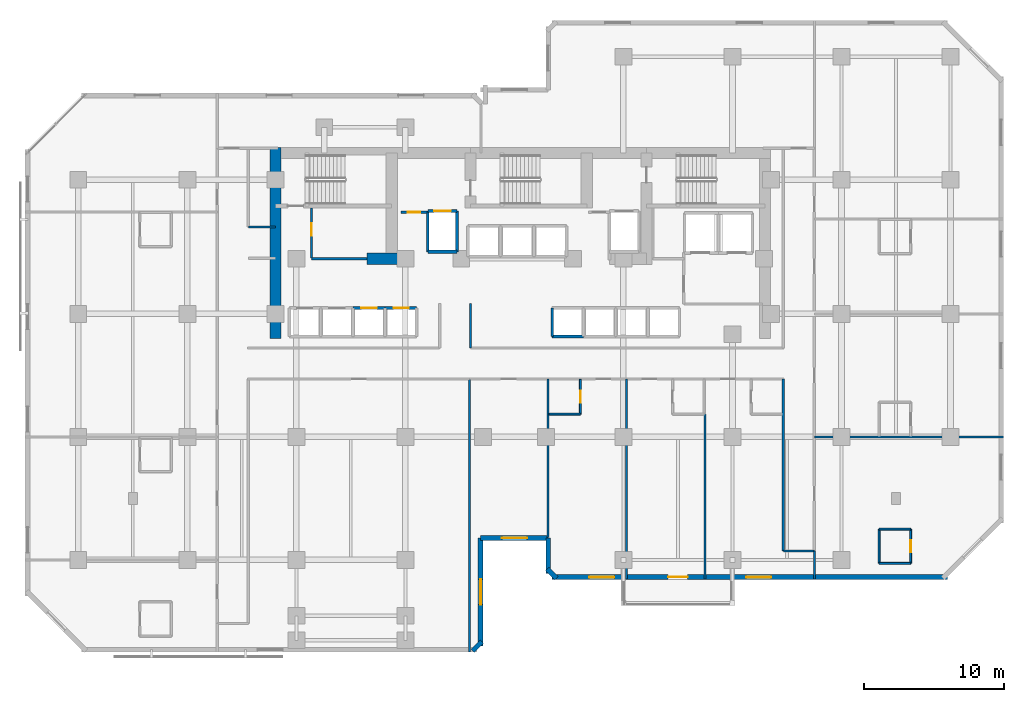
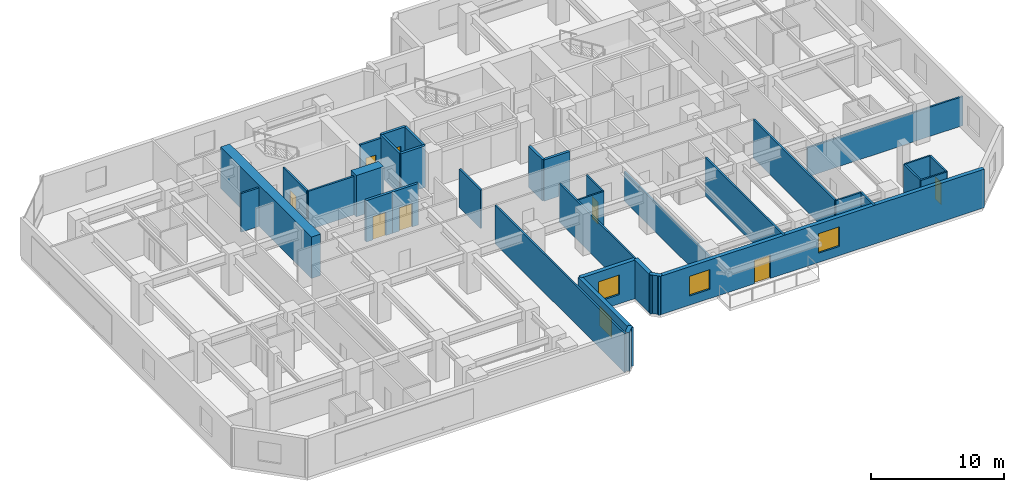
# One storey, part 7 of 12: 35 walls, 8 doors, 4 windows, 12 openings.
"""IFC4 building model written with IfcOpenShell, lengths in metres."""

import ifcopenshell
import ifcopenshell.guid

model = None  # the IFC model being written
_history = None  # IfcOwnerHistory: only IFC2X3 demands one
_inside = {}  # id of a spatial element -> (the spatial element, [elements in it])
_under = {}  # id of a project, library or spatial element -> (it, [spatial elements below it])
_declared = {}  # id of a project -> (the project, [libraries it declares])
_typed = {}  # id of a type object -> (the type object, [elements of that type])
_made_of = {}  # id of a material, layer set ... -> (it, [elements and type objects made of it])


def new_model(schema):
    """Start an empty IFC model of exactly this schema.

    Asked for "IFC4X3", IfcOpenShell would pick the latest addendum, in which some entities
    have other attributes; the version numbers below select the first issue.
    IFC2X3 requires an IfcOwnerHistory on every rooted entity: one is made here for all.
    """
    global model, _history
    if schema == "IFC4X3":
        model = ifcopenshell.file(schema_version=(4, 3, 0, 0))
    else:
        model = ifcopenshell.file(schema=schema)
    _inside.clear()
    _under.clear()
    _declared.clear()
    _typed.clear()
    _made_of.clear()
    _history = None
    if model.schema == "IFC2X3":
        org = make("IfcOrganization", Name="unknown")
        user = make(
            "IfcPersonAndOrganization",
            ThePerson=make("IfcPerson", FamilyName="unknown"),
            TheOrganization=org,
        )
        app = make(
            "IfcApplication",
            ApplicationDeveloper=org,
            Version="unknown",
            ApplicationFullName="unknown",
            ApplicationIdentifier="unknown",
        )
        _history = make(
            "IfcOwnerHistory",
            OwningUser=user,
            OwningApplication=app,
            ChangeAction="ADDED",
            CreationDate=0,
        )
    return model


def make(cls, **values):
    """One entity of the class cls with the attributes given. An attribute that is None is left unset."""
    return model.create_entity(
        cls, **{name: value for name, value in values.items() if value is not None}
    )


def rooted(cls, **values):
    """An entity with a GlobalId (a new one), such as an element, a storey or a relation."""
    return make(cls, GlobalId=ifcopenshell.guid.new(), OwnerHistory=_history, **values)


def si_unit(unit_type, name, prefix=None):
    """IfcSIUnit, for example si_unit("LENGTHUNIT", "METRE", prefix="MILLI")."""
    return make("IfcSIUnit", UnitType=unit_type, Prefix=prefix, Name=name)


def assignment(units):
    """IfcUnitAssignment: the units of a project."""
    return None if units is None else make("IfcUnitAssignment", Units=units)


def point(xyz):
    """IfcCartesianPoint."""
    return None if xyz is None else make("IfcCartesianPoint", Coordinates=xyz)


def direction(xyz):
    """IfcDirection."""
    return None if xyz is None else make("IfcDirection", DirectionRatios=xyz)


def frame(location, z_axis=None, x_axis=None):
    """IfcAxis2Placement3D, a coordinate frame: its origin and axes. An axis left out is left unset."""
    return make(
        "IfcAxis2Placement3D",
        Location=point(location),
        Axis=direction(z_axis),
        RefDirection=direction(x_axis),
    )


def frame_2d(location, x_axis=None):
    """IfcAxis2Placement2D, a coordinate frame in the plane: its origin and x axis."""
    return make(
        "IfcAxis2Placement2D", Location=point(location), RefDirection=direction(x_axis)
    )


def origin():
    """The frame at (0, 0, 0) with its axes left unset."""
    return frame((0.0, 0.0, 0.0))


def place(relative_to, where):
    """IfcLocalPlacement: puts the frame where relative to a parent placement (None: the world)."""
    return make(
        "IfcLocalPlacement", PlacementRelTo=relative_to, RelativePlacement=where
    )


def context(
    kind, dimensions, precision=None, world=None, true_north=None, identifier=None
):
    """IfcGeometricRepresentationContext, for example the 3D "Model" context."""
    return make(
        "IfcGeometricRepresentationContext",
        ContextIdentifier=identifier,
        ContextType=kind,
        CoordinateSpaceDimension=dimensions,
        Precision=precision,
        WorldCoordinateSystem=world,
        TrueNorth=true_north,
    )


def subcontext(parent, identifier, kind, view, scale=None):
    """IfcGeometricRepresentationSubContext, for example "Body" below "Model"."""
    return make(
        "IfcGeometricRepresentationSubContext",
        ContextIdentifier=identifier,
        ContextType=kind,
        ParentContext=parent,
        TargetScale=scale,
        TargetView=view,
    )


def project(units=None, contexts=None):
    """IfcProject with its units and contexts."""
    return rooted(
        "IfcProject",
        Name="project",
        RepresentationContexts=contexts,
        UnitsInContext=assignment(units),
    )


def spatial(cls, under=None, at=None, **own):
    """A site, building, storey or space (cls), placed at a placement, below another one or the project."""
    s = rooted(cls, ObjectPlacement=at, **own)
    if under is not None:
        _under.setdefault(under.id(), (under, []))[1].append(s)
    return s


def profile(cls, at=None, kind="AREA", **sizes):
    """A parametric profile (cls). Its sizes go by their IFC names, for example OverallWidth=200.0."""
    return make(cls, ProfileType=kind, Position=at, **sizes)


def rectangle(**sizes):
    """IfcRectangleProfileDef."""
    return profile("IfcRectangleProfileDef", **sizes)


def extrude(swept, where, along, depth):
    """IfcExtrudedAreaSolid: the profile swept, set in the frame where, extruded along a direction by depth."""
    return make(
        "IfcExtrudedAreaSolid",
        SweptArea=swept,
        Position=where,
        ExtrudedDirection=direction(along),
        Depth=depth,
    )


def shape(context_of_items, identifier, shape_type, items):
    """IfcShapeRepresentation: the items that make up one representation, for example the "Body"."""
    return make(
        "IfcShapeRepresentation",
        ContextOfItems=context_of_items,
        RepresentationIdentifier=identifier,
        RepresentationType=shape_type,
        Items=items,
    )


def material(Name=None, Category=None):
    """IfcMaterial."""
    return make("IfcMaterial", Name=Name, Category=Category)


def layer(
    of_material, thickness, ventilated=None, Name=None, Category=None, Priority=None
):
    """IfcMaterialLayer: one layer of a wall or slab, of a material (None: an air gap)."""
    return make(
        "IfcMaterialLayer",
        Material=of_material,
        LayerThickness=thickness,
        IsVentilated=ventilated,
        Name=Name,
        Category=Category,
        Priority=Priority,
    )


def layer_set(layers, Name=None):
    """IfcMaterialLayerSet."""
    return make("IfcMaterialLayerSet", MaterialLayers=layers, LayerSetName=Name)


def made_of(thing, what):
    """Note that an element or type object is made of a material, layer set ...; save() writes the relation."""
    if what is not None:
        _made_of.setdefault(what.id(), (what, []))[1].append(thing)
    return thing


def type_object(cls, material=None, **own):
    """A type object (cls), such as IfcWallType, which elements share."""
    return made_of(rooted(cls, **own), material)


def element(
    cls,
    number,
    at=None,
    inside=None,
    cuts=None,
    type_object=None,
    material=None,
    context=None,
    identifier="Body",
    shape_type=None,
    held_by="IfcProductDefinitionShape",
    body=None,
    shapes=None,
    **own,
):
    """One element of the class cls, such as IfcWall. Its Tag is "e" and its number.

    at: its placement. inside: the storey or other place that contains it. cuts: it is an
    opening in that element (IfcRelVoidsElement). A single representation is given by context,
    identifier, shape_type and body (its items); several are given by shapes. held_by: the class
    of the entity that holds the representations. save() writes the other relations.
    """
    e = rooted(cls, Tag="e%d" % number, ObjectPlacement=at, **own)
    if body is not None:
        shapes = [shape(context, identifier, shape_type, body)]
    if shapes is not None:
        e.Representation = make(held_by, Representations=shapes)
    if inside is not None:
        _inside.setdefault(inside.id(), (inside, []))[1].append(e)
    if cuts is not None:
        rooted(
            "IfcRelVoidsElement", RelatingBuildingElement=cuts, RelatedOpeningElement=e
        )
    if type_object is not None:
        _typed.setdefault(type_object.id(), (type_object, []))[1].append(e)
    return made_of(e, material)


def fill(opening, filler):
    """IfcRelFillsElement: the door or window that sits in an opening."""
    return rooted(
        "IfcRelFillsElement",
        RelatingOpeningElement=opening,
        RelatedBuildingElement=filler,
    )


def aggregate(whole, parts):
    """IfcRelAggregates: a whole, such as a stair, and the parts it consists of."""
    return rooted("IfcRelAggregates", RelatingObject=whole, RelatedObjects=parts)


def save(model, path):
    """Write the relations noted so far, then the file.

    IfcRelAggregates (storeys below a building ...), IfcRelContainedInSpatialStructure (elements
    in a storey), IfcRelDefinesByType, IfcRelAssociatesMaterial and IfcRelDeclares: one each for
    every whole, place, type object, material and project.
    """
    for whole, parts in _under.values():
        aggregate(whole, parts)
    for where, things in _inside.values():
        rooted(
            "IfcRelContainedInSpatialStructure",
            RelatedElements=things,
            RelatingStructure=where,
        )
    for kind, things in _typed.values():
        rooted("IfcRelDefinesByType", RelatedObjects=things, RelatingType=kind)
    for what, things in _made_of.values():
        rooted("IfcRelAssociatesMaterial", RelatedObjects=things, RelatingMaterial=what)
    for by, libraries in _declared.values():
        rooted("IfcRelDeclares", RelatingContext=by, RelatedDefinitions=libraries)
    model.write(path)


model = new_model("IFC4")

# Units and contexts
model_context = context("Model", 3, precision=1e-05, world=origin(), true_north=direction((0.0, 1.0)))
body_context = subcontext(model_context, "Body", "Model", "MODEL_VIEW")
ifc_project = project(units=[si_unit("LENGTHUNIT", "METRE"), si_unit("AREAUNIT", "SQUARE_METRE"), si_unit("VOLUMEUNIT", "CUBIC_METRE"), si_unit("PLANEANGLEUNIT", "RADIAN"), si_unit("MASSUNIT", "GRAM", prefix="KILO")], contexts=[model_context])

# Site, building, storey
site_placement = place(None, origin())
site = spatial("IfcSite", under=ifc_project, at=site_placement, CompositionType="ELEMENT")
building_placement = place(site_placement, origin())
building = spatial("IfcBuilding", under=site, at=building_placement, Name="Kestravale Grand Hotel", CompositionType="ELEMENT")
storey_placement = place(building_placement, frame((0.0, 0.0, 110.800048828125)))
storey = spatial("IfcBuildingStorey", under=building, at=storey_placement, Name="L27", CompositionType="ELEMENT", Elevation=110.800048828125)

# Walls
ifc_material_1 = material(Name="Concrete f'c 60 MPa", Category="concrete")
ifc_layer_1 = layer(ifc_material_1, 0.800048828125)
ifc_layer_set_1 = layer_set([ifc_layer_1], Name="EW-CORE-800")
wall_type_1 = type_object("IfcWallType", Name="EW-CORE-800", PredefinedType="SHEAR", material=ifc_layer_set_1)
wall_1_placement = place(storey_placement, frame((21.89990234375, 27.050048828125, 0.0), z_axis=(0.0, 0.0, 1.0), x_axis=(0.0, 1.0, 0.0)))
element("IfcWall", 1, at=wall_1_placement, inside=storey, type_object=wall_type_1, Name="L27 core shear wall W1", PredefinedType="SHEAR", context=body_context, shape_type="SweptSolid", body=[
    extrude(rectangle(XDim=13.669921875, YDim=0.800048828125, at=frame_2d((6.8349609375, 0.0))), origin(), (0.0, 0.0, 1.0), 3.800048828125),
])
wall_2_placement = place(storey_placement, frame((28.449951171875, 32.75, 0.0), z_axis=(0.0, 0.0, 1.0), x_axis=(1.0, 0.0, 0.0)))
element("IfcWall", 2, at=wall_2_placement, inside=storey, type_object=wall_type_1, Name="L27 core shear wall S1", PredefinedType="SHEAR", context=body_context, shape_type="SweptSolid", body=[
    extrude(rectangle(XDim=2.400146484375, YDim=0.800048828125, at=frame_2d((1.2001953125, 0.0))), origin(), (0.0, 0.0, 1.0), 3.800048828125),
])
ifc_material_2 = material(Name="Precast concrete f'c 45 MPa", Category="concrete")
ifc_layer_2 = layer(ifc_material_2, 0.340087890625)
ifc_layer_set_2 = layer_set([ifc_layer_2], Name="EW-PREC-340")
wall_type_2 = type_object("IfcWallType", Name="EW-PREC-340", PredefinedType="SOLIDWALL", material=ifc_layer_set_2)
wall_3_placement = place(storey_placement, frame((36.00146484375, 4.69189453125, 0.0), z_axis=(0.0, 0.0, 1.0), x_axis=(0.707238225886, 0.706975312048, 0.0)))
element("IfcWall", 3, at=wall_3_placement, inside=storey, type_object=wall_type_2, Name="L27 fluted precast facade wall 2", PredefinedType="SOLIDWALL", context=body_context, shape_type="SweptSolid", body=[
    extrude(rectangle(XDim=0.9287109375, YDim=0.340087890625, at=frame_2d((0.46435546875, 0.0))), origin(), (0.0, 0.0, 1.0), 3.5400390625),
])

# Wall, opening, window
wall_4_placement = place(storey_placement, frame((36.580078125, 5.030029296875, 0.0), z_axis=(0.0, 0.0, 1.0), x_axis=(0.0, 1.0, 0.0)))
wall_4 = element("IfcWall", 4, at=wall_4_placement, inside=storey, type_object=wall_type_2, Name="L27 fluted precast facade wall 3", PredefinedType="SOLIDWALL", context=body_context, shape_type="SweptSolid", body=[
    extrude(rectangle(XDim=7.739990234375, YDim=0.340087890625, at=frame_2d((3.8701171875, 0.0))), origin(), (0.0, 0.0, 1.0), 3.5400390625),
])
opening_1_placement = place(wall_4_placement, frame((2.969970703125, 0.0, 0.85009765625)))
opening_1 = element("IfcOpeningElement", 5, at=opening_1_placement, cuts=wall_4, Name="Opening W-GUEST-1800", PredefinedType="OPENING", context=body_context, shape_type="SweptSolid", body=[
    extrude(rectangle(XDim=1.800048828125, YDim=1.800048828125, at=frame_2d((0.89990234375, 0.89990234375))), frame((0.0, 0.179931640625, 0.0), z_axis=(0.0, -1.0, 0.0), x_axis=(1.0, 0.0, 0.0)), (0.0, 0.0, 1.0), 0.360107421875),
])
ifc_material_3 = material(Name="Insulated low-E double glazing in aluminium frame", Category="aluminium")
window_type = type_object("IfcWindowType", Name="W-GUEST-1800", PartitioningType="DOUBLE_PANEL_VERTICAL", PredefinedType="WINDOW", material=ifc_material_3)
window_1_placement = place(opening_1_placement, origin())
window_1 = element("IfcWindow", 6, at=window_1_placement, inside=storey, type_object=window_type, Name="L27 exterior window 3.1", OverallHeight=1.800048828125, OverallWidth=1.800048828125, PartitioningType="SINGLE_PANEL", PredefinedType="WINDOW", context=body_context, shape_type="SweptSolid", body=[
    extrude(rectangle(XDim=1.800048828125, YDim=1.800048828125, at=frame_2d((0.89990234375, 0.89990234375))), frame((0.0, 0.030029296875, 0.0), z_axis=(0.0, -1.0, 0.0), x_axis=(1.0, 0.0, 0.0)), (0.0, 0.0, 1.0), 0.06005859375),
])
fill(opening_1, window_1)

wall_5_placement = place(storey_placement, frame((36.580078125, 12.77001953125, 0.0), z_axis=(0.0, 0.0, 1.0), x_axis=(1.0, 0.0, 0.0)))
wall_5 = element("IfcWall", 7, at=wall_5_placement, inside=storey, type_object=wall_type_2, Name="L27 fluted precast facade wall 4", PredefinedType="SOLIDWALL", context=body_context, shape_type="SweptSolid", body=[
    extrude(rectangle(XDim=4.83984375, YDim=0.340087890625, at=frame_2d((2.419921875, 0.0))), origin(), (0.0, 0.0, 1.0), 3.5400390625),
])
opening_2_placement = place(wall_5_placement, frame((1.52001953125, 0.0, 0.85009765625)))
opening_2 = element("IfcOpeningElement", 8, at=opening_2_placement, cuts=wall_5, Name="Opening W-GUEST-1800", PredefinedType="OPENING", context=body_context, shape_type="SweptSolid", body=[
    extrude(rectangle(XDim=1.800048828125, YDim=1.800048828125, at=frame_2d((0.89990234375, 0.89990234375))), frame((0.0, 0.179931640625, 0.0), z_axis=(0.0, -1.0, 0.0), x_axis=(1.0, 0.0, 0.0)), (0.0, 0.0, 1.0), 0.360107421875),
])
window_2_placement = place(opening_2_placement, origin())
window_2 = element("IfcWindow", 9, at=window_2_placement, inside=storey, type_object=window_type, Name="L27 exterior window 4.1", OverallHeight=1.800048828125, OverallWidth=1.800048828125, PartitioningType="SINGLE_PANEL", PredefinedType="WINDOW", context=body_context, shape_type="SweptSolid", body=[
    extrude(rectangle(XDim=1.800048828125, YDim=1.800048828125, at=frame_2d((0.89990234375, 0.89990234375))), frame((0.0, 0.030029296875, 0.0), z_axis=(0.0, -1.0, 0.0), x_axis=(1.0, 0.0, 0.0)), (0.0, 0.0, 1.0), 0.06005859375),
])
fill(opening_2, window_2)

# Walls
wall_6_placement = place(storey_placement, frame((41.419921875, 12.77001953125, 0.0), z_axis=(0.0, 0.0, 1.0), x_axis=(0.0, -1.0, 0.0)))
element("IfcWall", 10, at=wall_6_placement, inside=storey, type_object=wall_type_2, Name="L27 fluted precast facade wall 5", PredefinedType="SOLIDWALL", context=body_context, shape_type="SweptSolid", body=[
    extrude(rectangle(XDim=2.5400390625, YDim=0.340087890625, at=frame_2d((1.27001953125, 0.0))), origin(), (0.0, 0.0, 1.0), 3.5400390625),
])
wall_7_placement = place(storey_placement, frame((41.341796875, 10.548583984375, 0.0), z_axis=(0.0, 0.0, 1.0), x_axis=(0.707106781187, -0.707106781187, 0.0)))
element("IfcWall", 11, at=wall_7_placement, inside=storey, type_object=wall_type_2, Name="L27 fluted precast facade wall 6", PredefinedType="SOLIDWALL", context=body_context, shape_type="SweptSolid", body=[
    extrude(rectangle(XDim=0.9287109375, YDim=0.340087890625, at=frame_2d((0.46435546875, 0.0))), origin(), (0.0, 0.0, 1.0), 3.5400390625),
])

# Wall, openings, door, windows
wall_8_placement = place(storey_placement, frame((41.679931640625, 9.969970703125, 0.0), z_axis=(0.0, 0.0, 1.0), x_axis=(1.0, 0.0, 0.0)))
wall_8 = element("IfcWall", 12, at=wall_8_placement, inside=storey, type_object=wall_type_2, Name="L27 fluted precast facade wall 7", PredefinedType="SOLIDWALL", context=body_context, shape_type="SweptSolid", body=[
    extrude(rectangle(XDim=28.2900390625, YDim=0.340087890625, at=frame_2d((14.14501953125, 0.0))), origin(), (0.0, 0.0, 1.0), 3.5400390625),
])
opening_3_placement = place(wall_8_placement, frame((8.320068359375, 0.0, 0.0)))
opening_3 = element("IfcOpeningElement", 13, at=opening_3_placement, cuts=wall_8, Name="Opening D-TERR-1400", PredefinedType="OPENING", context=body_context, shape_type="SweptSolid", body=[
    extrude(rectangle(XDim=1.39990234375, YDim=2.14990234375, at=frame_2d((0.699951171875, 1.074951171875))), frame((0.0, 0.179931640625, 0.0), z_axis=(0.0, -1.0, 0.0), x_axis=(1.0, 0.0, 0.0)), (0.0, 0.0, 1.0), 0.360107421875),
])
opening_4_placement = place(wall_8_placement, frame((2.6650390625, 0.0, 0.85009765625)))
opening_4 = element("IfcOpeningElement", 14, at=opening_4_placement, cuts=wall_8, Name="Opening W-GUEST-1800", PredefinedType="OPENING", context=body_context, shape_type="SweptSolid", body=[
    extrude(rectangle(XDim=1.800048828125, YDim=1.800048828125, at=frame_2d((0.89990234375, 0.89990234375))), frame((0.0, 0.179931640625, 0.0), z_axis=(0.0, -1.0, 0.0), x_axis=(1.0, 0.0, 0.0)), (0.0, 0.0, 1.0), 0.360107421875),
])
opening_5_placement = place(wall_8_placement, frame((13.89501953125, 0.0, 0.85009765625)))
opening_5 = element("IfcOpeningElement", 15, at=opening_5_placement, cuts=wall_8, Name="Opening W-GUEST-1800", PredefinedType="OPENING", context=body_context, shape_type="SweptSolid", body=[
    extrude(rectangle(XDim=1.800048828125, YDim=1.800048828125, at=frame_2d((0.89990234375, 0.89990234375))), frame((0.0, 0.179931640625, 0.0), z_axis=(0.0, -1.0, 0.0), x_axis=(1.0, 0.0, 0.0)), (0.0, 0.0, 1.0), 0.360107421875),
])
ifc_material_4 = material(Name="Insulated glazed champagne-bronze aluminium door", Category="aluminium")
door_type_1 = type_object("IfcDoorType", Name="D-TERR-1400", OperationType="NOTDEFINED", PredefinedType="DOOR", material=ifc_material_4)
door_1_placement = place(opening_3_placement, origin())
door_1 = element("IfcDoor", 16, at=door_1_placement, inside=storey, type_object=door_type_1, Name="L27 outdoor garden terrace door", OperationType="DOUBLE_DOOR_SINGLE_SWING", OverallHeight=2.14990234375, OverallWidth=1.39990234375, PredefinedType="DOOR", context=body_context, shape_type="SweptSolid", body=[
    extrude(rectangle(XDim=1.39990234375, YDim=2.14990234375, at=frame_2d((0.699951171875, 1.074951171875))), frame((0.0, 0.02490234375, 0.0), z_axis=(0.0, -1.0, 0.0), x_axis=(1.0, 0.0, 0.0)), (0.0, 0.0, 1.0), 0.050048828125),
])
fill(opening_3, door_1)
window_3_placement = place(opening_4_placement, origin())
window_3 = element("IfcWindow", 17, at=window_3_placement, inside=storey, type_object=window_type, Name="L27 exterior window 7.1", OverallHeight=1.800048828125, OverallWidth=1.800048828125, PartitioningType="SINGLE_PANEL", PredefinedType="WINDOW", context=body_context, shape_type="SweptSolid", body=[
    extrude(rectangle(XDim=1.800048828125, YDim=1.800048828125, at=frame_2d((0.89990234375, 0.89990234375))), frame((0.0, 0.030029296875, 0.0), z_axis=(0.0, -1.0, 0.0), x_axis=(1.0, 0.0, 0.0)), (0.0, 0.0, 1.0), 0.06005859375),
])
fill(opening_4, window_3)
window_4_placement = place(opening_5_placement, origin())
window_4 = element("IfcWindow", 18, at=window_4_placement, inside=storey, type_object=window_type, Name="L27 exterior window 7.2", OverallHeight=1.800048828125, OverallWidth=1.800048828125, PartitioningType="SINGLE_PANEL", PredefinedType="WINDOW", context=body_context, shape_type="SweptSolid", body=[
    extrude(rectangle(XDim=1.800048828125, YDim=1.800048828125, at=frame_2d((0.89990234375, 0.89990234375))), frame((0.0, 0.030029296875, 0.0), z_axis=(0.0, -1.0, 0.0), x_axis=(1.0, 0.0, 0.0)), (0.0, 0.0, 1.0), 0.06005859375),
])
fill(opening_5, window_4)

# Wall, opening, door
ifc_material_5 = material(Name="Acoustic fire-rated gypsum board partition", Category="other")
ifc_layer_3 = layer(ifc_material_5, 0.159912109375)
ifc_layer_set_3 = layer_set([ifc_layer_3], Name="IW-CORR-160")
wall_type_3 = type_object("IfcWallType", Name="IW-CORR-160", PredefinedType="PARTITIONING", material=ifc_layer_set_3)
wall_9_placement = place(storey_placement, frame((24.47998046875, 32.800048828125, 0.0), z_axis=(0.0, 0.0, 1.0), x_axis=(0.0, 1.0, 0.0)))
wall_9 = element("IfcWall", 19, at=wall_9_placement, inside=storey, type_object=wall_type_3, Name="L27 west core vestibule wall", PredefinedType="PARTITIONING", context=body_context, shape_type="SweptSolid", body=[
    extrude(rectangle(XDim=3.570068359375, YDim=0.159912109375, at=frame_2d((1.78515625, 0.0))), origin(), (0.0, 0.0, 1.0), 3.5400390625),
])
opening_6_placement = place(wall_9_placement, frame((1.603515625, 0.0, 0.0)))
opening_6 = element("IfcOpeningElement", 20, at=opening_6_placement, cuts=wall_9, Name="Opening D-SH-900", PredefinedType="OPENING", context=body_context, shape_type="SweptSolid", body=[
    extrude(rectangle(XDim=0.89990234375, YDim=2.10009765625, at=frame_2d((0.449951171875, 1.050048828125))), frame((0.0, 0.08984375, 0.0), z_axis=(0.0, -1.0, 0.0), x_axis=(1.0, 0.0, 0.0)), (0.0, 0.0, 1.0), 0.179931640625),
])
ifc_material_6 = material(Name="Galvanised 90-minute shaft and service fire door", Category="steel")
door_type_2 = type_object("IfcDoorType", Name="D-SH-900", OperationType="NOTDEFINED", PredefinedType="DOOR", material=ifc_material_6)
door_2_placement = place(opening_6_placement, origin())
door_2 = element("IfcDoor", 21, at=door_2_placement, inside=storey, type_object=door_type_2, Name="D-L27-HK", OperationType="SINGLE_SWING_RIGHT", OverallHeight=2.10009765625, OverallWidth=0.89990234375, PredefinedType="DOOR", context=body_context, shape_type="SweptSolid", body=[
    extrude(rectangle(XDim=0.89990234375, YDim=2.10009765625, at=frame_2d((0.449951171875, 1.050048828125))), frame((0.0, 0.02490234375, 0.0), z_axis=(0.0, -1.0, 0.0), x_axis=(1.0, 0.0, 0.0)), (0.0, 0.0, 1.0), 0.050048828125),
])
fill(opening_6, door_2)

# Walls
wall_10_placement = place(storey_placement, frame((24.47998046875, 32.75, 0.0), z_axis=(0.0, 0.0, 1.0), x_axis=(1.0, 0.0, 0.0)))
element("IfcWall", 22, at=wall_10_placement, inside=storey, type_object=wall_type_3, Name="W-L27-CWS", PredefinedType="PARTITIONING", context=body_context, shape_type="SweptSolid", body=[
    extrude(rectangle(XDim=3.969970703125, YDim=0.159912109375, at=frame_2d((1.98486328125, 0.0))), origin(), (0.0, 0.0, 1.0), 3.5400390625),
])
wall_11_placement = place(storey_placement, frame((35.85009765625, 26.360107421875, 0.0), z_axis=(0.0, 0.0, 1.0), x_axis=(0.0, 1.0, 0.0)))
element("IfcWall", 23, at=wall_11_placement, inside=storey, type_object=wall_type_3, Name="W-L27-TRUNK-E", PredefinedType="PARTITIONING", context=body_context, shape_type="SweptSolid", body=[
    extrude(rectangle(XDim=3.18994140625, YDim=0.159912109375, at=frame_2d((1.594970703125, 0.0))), origin(), (0.0, 0.0, 1.0), 3.5400390625),
])
wall_12_placement = place(storey_placement, frame((19.9599609375, 35.02001953125, 0.0), z_axis=(0.0, 0.0, 1.0), x_axis=(1.0, 0.0, 0.0)))
element("IfcWall", 24, at=wall_12_placement, inside=storey, type_object=wall_type_3, Name="W-L27-SW-CN", PredefinedType="PARTITIONING", context=body_context, shape_type="SweptSolid", body=[
    extrude(rectangle(XDim=1.93994140625, YDim=0.159912109375, at=frame_2d((0.969970703125, 0.0))), origin(), (0.0, 0.0, 1.0), 3.5400390625),
])
wall_13_placement = place(storey_placement, frame((58.239990234375, 11.85009765625, 0.0), z_axis=(0.0, 0.0, 1.0), x_axis=(0.0, 1.0, 0.0)))
element("IfcWall", 25, at=wall_13_placement, inside=storey, type_object=wall_type_3, Name="W-L27-SE-W", PredefinedType="PARTITIONING", context=body_context, shape_type="SweptSolid", body=[
    extrude(rectangle(XDim=12.289794921875, YDim=0.159912109375, at=frame_2d((6.14501953125, 0.0))), origin(), (0.0, 0.0, 1.0), 3.5400390625),
])

# Wall, opening, door
ifc_material_7 = material(Name="Fire-rated gypsum board on steel studs with mineral wool", Category="steel")
ifc_layer_4 = layer(ifc_material_7, 0.179931640625)
ifc_layer_set_4 = layer_set([ifc_layer_4], Name="IW-FSAE-180")
wall_type_4 = type_object("IfcWallType", Name="IW-FSAE-180", PredefinedType="PARTITIONING", material=ifc_layer_set_4)
wall_14_placement = place(storey_placement, frame((30.89990234375, 36.080078125, 0.0), z_axis=(0.0, 0.0, 1.0), x_axis=(1.0, 0.0, 0.0)))
wall_14 = element("IfcWall", 26, at=wall_14_placement, inside=storey, type_object=wall_type_4, Name="L27 FSAE Lobby 1 smoke barrier", PredefinedType="PARTITIONING", context=body_context, shape_type="SweptSolid", body=[
    extrude(rectangle(XDim=1.85009765625, YDim=0.179931640625, at=frame_2d((0.925048828125, 0.0))), origin(), (0.0, 0.0, 1.0), 3.5400390625),
])
opening_7_placement = place(wall_14_placement, frame((0.47998046875, 0.0, 0.0)))
opening_7 = element("IfcOpeningElement", 27, at=opening_7_placement, cuts=wall_14, Name="Opening D-FSAE-1000", PredefinedType="OPENING", context=body_context, shape_type="SweptSolid", body=[
    extrude(rectangle(XDim=0.89990234375, YDim=2.14990234375, at=frame_2d((0.449951171875, 1.074951171875))), frame((0.0, 0.099853515625, 0.0), z_axis=(0.0, -1.0, 0.0), x_axis=(1.0, 0.0, 0.0)), (0.0, 0.0, 1.0), 0.199951171875),
])
ifc_material_8 = material(Name="Smoke-gasketed FSAE lobby fire door", Category="steel")
door_type_3 = type_object("IfcDoorType", Name="D-FSAE-1000", OperationType="NOTDEFINED", PredefinedType="DOOR", material=ifc_material_8)
door_3_placement = place(opening_7_placement, origin())
door_3 = element("IfcDoor", 28, at=door_3_placement, inside=storey, type_object=door_type_3, Name="L27 FSAE Lobby 1 fire door", OperationType="SINGLE_SWING_RIGHT", OverallHeight=2.14990234375, OverallWidth=0.89990234375, PredefinedType="DOOR", context=body_context, shape_type="SweptSolid", body=[
    extrude(rectangle(XDim=0.89990234375, YDim=2.14990234375, at=frame_2d((0.449951171875, 1.074951171875))), frame((0.0, 0.02490234375, 0.0), z_axis=(0.0, -1.0, 0.0), x_axis=(1.0, 0.0, 0.0)), (0.0, 0.0, 1.0), 0.050048828125),
])
fill(opening_7, door_3)

ifc_material_9 = material(Name="Moisture-resistant tile-backer plumbing chase wall", Category="other")
ifc_layer_5 = layer(ifc_material_9, 0.139892578125)
ifc_layer_set_5 = layer_set([ifc_layer_5], Name="IW-PLB-140")
wall_type_5 = type_object("IfcWallType", Name="IW-PLB-140", PredefinedType="PLUMBINGWALL", material=ifc_layer_set_5)
wall_15_placement = place(storey_placement, frame((43.719970703125, 21.6298828125, 0.0), z_axis=(0.0, 0.0, 1.0), x_axis=(0.0, 1.0, 0.0)))
wall_15 = element("IfcWall", 29, at=wall_15_placement, inside=storey, type_object=wall_type_5, Name="W-L27-U01-BE", PredefinedType="PLUMBINGWALL", context=body_context, shape_type="SweptSolid", body=[
    extrude(rectangle(XDim=2.490234375, YDim=0.139892578125, at=frame_2d((1.2451171875, 0.0))), origin(), (0.0, 0.0, 1.0), 3.5400390625),
])
opening_8_placement = place(wall_15_placement, frame((0.804931640625, 0.0, 0.0)))
opening_8 = element("IfcOpeningElement", 30, at=opening_8_placement, cuts=wall_15, Name="Opening D-BATH-880", PredefinedType="OPENING", context=body_context, shape_type="SweptSolid", body=[
    extrude(rectangle(XDim=0.8798828125, YDim=2.050048828125, at=frame_2d((0.43994140625, 1.02490234375))), frame((0.0, 0.079833984375, 0.0), z_axis=(0.0, -1.0, 0.0), x_axis=(1.0, 0.0, 0.0)), (0.0, 0.0, 1.0), 0.159912109375),
])
ifc_material_10 = material(Name="Moisture-sealed walnut en-suite bathroom door", Category="wood")
door_type_4 = type_object("IfcDoorType", Name="D-BATH-880", OperationType="NOTDEFINED", PredefinedType="DOOR", material=ifc_material_10)
door_4_placement = place(opening_8_placement, origin())
door_4 = element("IfcDoor", 31, at=door_4_placement, inside=storey, type_object=door_type_4, Name="D-L27-U01-BATH", OperationType="SINGLE_SWING_RIGHT", OverallHeight=2.050048828125, OverallWidth=0.8798828125, PredefinedType="DOOR", context=body_context, shape_type="SweptSolid", body=[
    extrude(rectangle(XDim=0.8798828125, YDim=2.050048828125, at=frame_2d((0.43994140625, 1.02490234375))), frame((0.0, 0.02490234375, 0.0), z_axis=(0.0, -1.0, 0.0), x_axis=(1.0, 0.0, 0.0)), (0.0, 0.0, 1.0), 0.050048828125),
])
fill(opening_8, door_4)

# Walls
wall_16_placement = place(storey_placement, frame((41.469970703125, 21.6298828125, 0.0), z_axis=(0.0, 0.0, 1.0), x_axis=(1.0, 0.0, 0.0)))
element("IfcWall", 32, at=wall_16_placement, inside=storey, type_object=wall_type_5, Name="W-L27-U01-BS", PredefinedType="PLUMBINGWALL", context=body_context, shape_type="SweptSolid", body=[
    extrude(rectangle(XDim=2.25, YDim=0.139892578125, at=frame_2d((1.125, 0.0))), origin(), (0.0, 0.0, 1.0), 3.5400390625),
])
wall_17_placement = place(storey_placement, frame((65.10009765625, 10.949951171875, 0.0), z_axis=(0.0, 0.0, 1.0), x_axis=(0.0, 1.0, 0.0)))
element("IfcWall", 33, at=wall_17_placement, inside=storey, type_object=wall_type_5, Name="W-L27-U07-BW", PredefinedType="PLUMBINGWALL", context=body_context, shape_type="SweptSolid", body=[
    extrude(rectangle(XDim=2.449951171875, YDim=0.139892578125, at=frame_2d((1.22509765625, 0.0))), origin(), (0.0, 0.0, 1.0), 3.5400390625),
])

# Wall, opening, door
wall_18_placement = place(storey_placement, frame((67.35009765625, 10.949951171875, 0.0), z_axis=(0.0, 0.0, 1.0), x_axis=(0.0, 1.0, 0.0)))
wall_18 = element("IfcWall", 34, at=wall_18_placement, inside=storey, type_object=wall_type_5, Name="W-L27-U07-BE", PredefinedType="PLUMBINGWALL", context=body_context, shape_type="SweptSolid", body=[
    extrude(rectangle(XDim=2.449951171875, YDim=0.139892578125, at=frame_2d((1.22509765625, 0.0))), origin(), (0.0, 0.0, 1.0), 3.5400390625),
])
opening_9_placement = place(wall_18_placement, frame((0.784912109375, 0.0, 0.0)))
opening_9 = element("IfcOpeningElement", 35, at=opening_9_placement, cuts=wall_18, Name="Opening D-BATH-880", PredefinedType="OPENING", context=body_context, shape_type="SweptSolid", body=[
    extrude(rectangle(XDim=0.8798828125, YDim=2.050048828125, at=frame_2d((0.43994140625, 1.02490234375))), frame((0.0, 0.079833984375, 0.0), z_axis=(0.0, -1.0, 0.0), x_axis=(1.0, 0.0, 0.0)), (0.0, 0.0, 1.0), 0.159912109375),
])
door_5_placement = place(opening_9_placement, origin())
door_5 = element("IfcDoor", 36, at=door_5_placement, inside=storey, type_object=door_type_4, Name="D-L27-U07-BATH", OperationType="SINGLE_SWING_LEFT", OverallHeight=2.050048828125, OverallWidth=0.8798828125, PredefinedType="DOOR", context=body_context, shape_type="SweptSolid", body=[
    extrude(rectangle(XDim=0.8798828125, YDim=2.050048828125, at=frame_2d((0.43994140625, 1.02490234375))), frame((0.0, 0.02490234375, 0.0), z_axis=(0.0, -1.0, 0.0), x_axis=(1.0, 0.0, 0.0)), (0.0, 0.0, 1.0), 0.050048828125),
])
fill(opening_9, door_5)

# Walls
for number, where, z_axis, x_axis, name in (
    (37, (65.10009765625, 10.949951171875, 0.0), (0.0, 0.0, 1.0), (1.0, 0.0, 0.0), "W-L27-U07-BS"),
    (38, (65.10009765625, 13.39990234375, 0.0), (0.0, 0.0, 1.0), (1.0, 0.0, 0.0), "W-L27-U07-BN"),
):
    element("IfcWall", number, at=place(storey_placement, frame(where, z_axis=z_axis, x_axis=x_axis)), inside=storey, type_object=wall_type_5, Name=name, PredefinedType="PLUMBINGWALL", context=body_context, shape_type="SweptSolid", body=[
        extrude(rectangle(XDim=2.25, YDim=0.139892578125, at=frame_2d((1.125, 0.0))), origin(), (0.0, 0.0, 1.0), 3.5400390625),
    ])
ifc_material_11 = material(Name="Concrete f'c 45 MPa", Category="concrete")
ifc_layer_6 = layer(ifc_material_11, 0.199951171875)
ifc_layer_set_6 = layer_set([ifc_layer_6], Name="IW-SHAFT-200")
wall_type_6 = type_object("IfcWallType", Name="IW-SHAFT-200", PredefinedType="SHEAR", material=ifc_layer_set_6)
wall_19_placement = place(storey_placement, frame((41.705078125, 27.169921875, 0.0), z_axis=(0.0, 0.0, 1.0), x_axis=(0.0, 1.0, 0.0)))
element("IfcWall", 39, at=wall_19_placement, inside=storey, type_object=wall_type_6, Name="L27 PL-M1 west shaft wall", PredefinedType="SHEAR", context=body_context, shape_type="SweptSolid", body=[
    extrude(rectangle(XDim=2.06005859375, YDim=0.199951171875, at=frame_2d((1.030029296875, 0.0))), origin(), (0.0, 0.0, 1.0), 3.800048828125),
])
for number, where, z_axis, x_axis, name in (
    (40, (32.804931640625, 33.2451171875, 0.0), (0.0, 0.0, 1.0), (0.0, 1.0, 0.0), "L27 FL-1 west shaft wall"),
    (41, (34.89501953125, 33.2451171875, 0.0), (0.0, 0.0, 1.0), (0.0, 1.0, 0.0), "L27 FL-1 east shaft wall"),
):
    element("IfcWall", number, at=place(storey_placement, frame(where, z_axis=z_axis, x_axis=x_axis)), inside=storey, type_object=wall_type_6, Name=name, PredefinedType="SHEAR", context=body_context, shape_type="SweptSolid", body=[
        extrude(rectangle(XDim=2.909912109375, YDim=0.199951171875, at=frame_2d((1.455078125, 0.0))), origin(), (0.0, 0.0, 1.0), 3.800048828125),
    ])

# Wall, opening, door
ifc_material_12 = material(Name="Concrete f'c 45 MPa", Category="concrete")
ifc_layer_7 = layer(ifc_material_12, 0.219970703125)
ifc_layer_set_7 = layer_set([ifc_layer_7], Name="IW-SHAFT-220")
wall_type_7 = type_object("IfcWallType", Name="IW-SHAFT-220", PredefinedType="SHEAR", material=ifc_layer_set_7)
wall_20_placement = place(storey_placement, frame((27.449951171875, 29.22998046875, 0.0), z_axis=(0.0, 0.0, 1.0), x_axis=(1.0, 0.0, 0.0)))
wall_20 = element("IfcWall", 42, at=wall_20_placement, inside=storey, type_object=wall_type_7, Name="L27 PL-L3 north shaft wall", PredefinedType="SHEAR", context=body_context, shape_type="SweptSolid", body=[
    extrude(rectangle(XDim=2.300048828125, YDim=0.219970703125, at=frame_2d((1.14990234375, 0.0))), origin(), (0.0, 0.0, 1.0), 3.800048828125),
])
opening_10_placement = place(wall_20_placement, frame((0.60009765625, 0.0, 0.0)))
opening_10 = element("IfcOpeningElement", 43, at=opening_10_placement, cuts=wall_20, Name="Opening LD-PAX-1100", PredefinedType="OPENING", context=body_context, shape_type="SweptSolid", body=[
    extrude(rectangle(XDim=1.10009765625, YDim=2.14990234375, at=frame_2d((0.550048828125, 1.074951171875))), frame((0.0, 0.119873046875, 0.0), z_axis=(0.0, -1.0, 0.0), x_axis=(1.0, 0.0, 0.0)), (0.0, 0.0, 1.0), 0.239990234375),
])
ifc_material_13 = material(Name="Champagne-bronze center-opening sliding elevator landing door", Category="steel")
door_type_5 = type_object("IfcDoorType", Name="LD-PAX-1100", OperationType="NOTDEFINED", PredefinedType="DOOR", material=ifc_material_13)
door_6_placement = place(opening_10_placement, origin())
door_6 = element("IfcDoor", 44, at=door_6_placement, inside=storey, type_object=door_type_5, Name="L27 PL-L3 elevator landing sliding door", OperationType="DOUBLE_DOOR_SLIDING", OverallHeight=2.14990234375, OverallWidth=1.10009765625, PredefinedType="DOOR", context=body_context, shape_type="SweptSolid", body=[
    extrude(rectangle(XDim=1.10009765625, YDim=2.14990234375, at=frame_2d((0.550048828125, 1.074951171875))), frame((0.0, 0.02490234375, 0.0), z_axis=(0.0, -1.0, 0.0), x_axis=(1.0, 0.0, 0.0)), (0.0, 0.0, 1.0), 0.050048828125),
])
fill(opening_10, door_6)

wall_21_placement = place(storey_placement, frame((29.75, 29.22998046875, 0.0), z_axis=(0.0, 0.0, 1.0), x_axis=(1.0, 0.0, 0.0)))
wall_21 = element("IfcWall", 45, at=wall_21_placement, inside=storey, type_object=wall_type_7, Name="L27 PL-L4 north shaft wall", PredefinedType="SHEAR", context=body_context, shape_type="SweptSolid", body=[
    extrude(rectangle(XDim=2.2451171875, YDim=0.219970703125, at=frame_2d((1.12255859375, 0.0))), origin(), (0.0, 0.0, 1.0), 3.800048828125),
])
opening_11_placement = place(wall_21_placement, frame((0.60009765625, 0.0, 0.0)))
opening_11 = element("IfcOpeningElement", 46, at=opening_11_placement, cuts=wall_21, Name="Opening LD-PAX-1100", PredefinedType="OPENING", context=body_context, shape_type="SweptSolid", body=[
    extrude(rectangle(XDim=1.10009765625, YDim=2.14990234375, at=frame_2d((0.550048828125, 1.074951171875))), frame((0.0, 0.119873046875, 0.0), z_axis=(0.0, -1.0, 0.0), x_axis=(1.0, 0.0, 0.0)), (0.0, 0.0, 1.0), 0.239990234375),
])
door_7_placement = place(opening_11_placement, origin())
door_7 = element("IfcDoor", 47, at=door_7_placement, inside=storey, type_object=door_type_5, Name="L27 PL-L4 elevator landing sliding door", OperationType="DOUBLE_DOOR_SLIDING", OverallHeight=2.14990234375, OverallWidth=1.10009765625, PredefinedType="DOOR", context=body_context, shape_type="SweptSolid", body=[
    extrude(rectangle(XDim=1.10009765625, YDim=2.14990234375, at=frame_2d((0.550048828125, 1.074951171875))), frame((0.0, 0.02490234375, 0.0), z_axis=(0.0, -1.0, 0.0), x_axis=(1.0, 0.0, 0.0)), (0.0, 0.0, 1.0), 0.050048828125),
])
fill(opening_11, door_7)

# Wall
wall_22_placement = place(storey_placement, frame((41.705078125, 27.169921875, 0.0), z_axis=(0.0, 0.0, 1.0), x_axis=(1.0, 0.0, 0.0)))
element("IfcWall", 48, at=wall_22_placement, inside=storey, type_object=wall_type_7, Name="L27 PL-M1 south shaft wall", PredefinedType="SHEAR", context=body_context, shape_type="SweptSolid", body=[
    extrude(rectangle(XDim=2.244873046875, YDim=0.219970703125, at=frame_2d((1.12255859375, 0.0))), origin(), (0.0, 0.0, 1.0), 3.800048828125),
])

# Wall, opening, door
wall_23_placement = place(storey_placement, frame((32.804931640625, 36.155029296875, 0.0), z_axis=(0.0, 0.0, 1.0), x_axis=(1.0, 0.0, 0.0)))
wall_23 = element("IfcWall", 49, at=wall_23_placement, inside=storey, type_object=wall_type_7, Name="L27 FL-1 north shaft wall", PredefinedType="SHEAR", context=body_context, shape_type="SweptSolid", body=[
    extrude(rectangle(XDim=2.090087890625, YDim=0.219970703125, at=frame_2d((1.044921875, 0.0))), origin(), (0.0, 0.0, 1.0), 3.800048828125),
])
opening_12_placement = place(wall_23_placement, frame((0.445068359375, 0.0, 0.0)))
opening_12 = element("IfcOpeningElement", 50, at=opening_12_placement, cuts=wall_23, Name="Opening LD-FSAE-1200", PredefinedType="OPENING", context=body_context, shape_type="SweptSolid", body=[
    extrude(rectangle(XDim=1.199951171875, YDim=2.14990234375, at=frame_2d((0.60009765625, 1.074951171875))), frame((0.0, 0.119873046875, 0.0), z_axis=(0.0, -1.0, 0.0), x_axis=(1.0, 0.0, 0.0)), (0.0, 0.0, 1.0), 0.239990234375),
])
ifc_material_14 = material(Name="Stainless fire-service sliding elevator landing door", Category="steel")
door_type_6 = type_object("IfcDoorType", Name="LD-FSAE-1200", OperationType="NOTDEFINED", PredefinedType="DOOR", material=ifc_material_14)
door_8_placement = place(opening_12_placement, origin())
door_8 = element("IfcDoor", 51, at=door_8_placement, inside=storey, type_object=door_type_6, Name="L27 FL-1 elevator landing sliding door", OperationType="DOUBLE_DOOR_SLIDING", OverallHeight=2.14990234375, OverallWidth=1.199951171875, PredefinedType="DOOR", context=body_context, shape_type="SweptSolid", body=[
    extrude(rectangle(XDim=1.199951171875, YDim=2.14990234375, at=frame_2d((0.60009765625, 1.074951171875))), frame((0.0, 0.02490234375, 0.0), z_axis=(0.0, -1.0, 0.0), x_axis=(1.0, 0.0, 0.0)), (0.0, 0.0, 1.0), 0.050048828125),
])
fill(opening_12, door_8)

# Walls
wall_24_placement = place(storey_placement, frame((32.804931640625, 33.2451171875, 0.0), z_axis=(0.0, 0.0, 1.0), x_axis=(1.0, 0.0, 0.0)))
element("IfcWall", 52, at=wall_24_placement, inside=storey, type_object=wall_type_7, Name="L27 FL-1 south shaft wall", PredefinedType="SHEAR", context=body_context, shape_type="SweptSolid", body=[
    extrude(rectangle(XDim=2.090087890625, YDim=0.219970703125, at=frame_2d((1.044921875, 0.0))), origin(), (0.0, 0.0, 1.0), 3.800048828125),
])
ifc_material_15 = material(Name="Double-stud STC 52 acoustic demising partition", Category="other")
ifc_layer_8 = layer(ifc_material_15, 0.14990234375)
ifc_layer_set_8 = layer_set([ifc_layer_8], Name="IW-UNIT-150")
wall_type_8 = type_object("IfcWallType", Name="IW-UNIT-150", PredefinedType="PARTITIONING", material=ifc_layer_set_8)
wall_25_placement = place(storey_placement, frame((58.239990234375, 11.85009765625, 0.0), z_axis=(0.0, 0.0, 1.0), x_axis=(1.0, 0.0, 0.0)))
element("IfcWall", 53, at=wall_25_placement, inside=storey, type_object=wall_type_8, Name="W-L27-SE-S", PredefinedType="PARTITIONING", context=body_context, shape_type="SweptSolid", body=[
    extrude(rectangle(XDim=2.219970703125, YDim=0.14990234375, at=frame_2d((1.10986328125, 0.0))), origin(), (0.0, 0.0, 1.0), 3.5400390625),
])
wall_26_placement = place(storey_placement, frame((35.800048828125, 4.6201171875, 0.0), z_axis=(0.0, 0.0, 1.0), x_axis=(0.0, 1.0, 0.0)))
element("IfcWall", 54, at=wall_26_placement, inside=storey, type_object=wall_type_8, Name="W-L27-MID-S", PredefinedType="PARTITIONING", context=body_context, shape_type="SweptSolid", body=[
    extrude(rectangle(XDim=19.5, YDim=0.14990234375, at=frame_2d((9.75, 0.0))), origin(), (0.0, 0.0, 1.0), 3.5400390625),
])
wall_27_placement = place(storey_placement, frame((41.409912109375, 12.7900390625, 0.0), z_axis=(0.0, 0.0, 1.0), x_axis=(0.0, 1.0, 0.0)))
element("IfcWall", 55, at=wall_27_placement, inside=storey, type_object=wall_type_8, Name="W-L27-ES-1", PredefinedType="PARTITIONING", context=body_context, shape_type="SweptSolid", body=[
    extrude(rectangle(XDim=11.349853515625, YDim=0.14990234375, at=frame_2d((5.6748046875, 0.0))), origin(), (0.0, 0.0, 1.0), 3.5400390625),
])
wall_28_placement = place(storey_placement, frame((47.02001953125, 9.820068359375, 0.0), z_axis=(0.0, 0.0, 1.0), x_axis=(0.0, 1.0, 0.0)))
element("IfcWall", 56, at=wall_28_placement, inside=storey, type_object=wall_type_8, Name="W-L27-ES-2", PredefinedType="PARTITIONING", context=body_context, shape_type="SweptSolid", body=[
    extrude(rectangle(XDim=14.31982421875, YDim=0.14990234375, at=frame_2d((7.159912109375, 0.0))), origin(), (0.0, 0.0, 1.0), 2.678955078125),
])
wall_29_placement = place(storey_placement, frame((52.6298828125, 9.820068359375, 0.0), z_axis=(0.0, 0.0, 1.0), x_axis=(0.0, 1.0, 0.0)))
element("IfcWall", 57, at=wall_29_placement, inside=storey, type_object=wall_type_8, Name="W-L27-ES-3", PredefinedType="PARTITIONING", context=body_context, shape_type="SweptSolid", body=[
    extrude(rectangle(XDim=11.809814453125, YDim=0.14990234375, at=frame_2d((5.90478515625, 0.0))), origin(), (0.0, 0.0, 1.0), 3.5400390625),
])
wall_30_placement = place(storey_placement, frame((60.4599609375, 9.820068359375, 0.0), z_axis=(0.0, 0.0, 1.0), x_axis=(0.0, 1.0, 0.0)))
element("IfcWall", 58, at=wall_30_placement, inside=storey, type_object=wall_type_8, Name="W-L27-SE-EXT", PredefinedType="PARTITIONING", context=body_context, shape_type="SweptSolid", body=[
    extrude(rectangle(XDim=2.030029296875, YDim=0.14990234375, at=frame_2d((1.01513671875, 0.0))), origin(), (0.0, 0.0, 1.0), 3.5400390625),
])
wall_31_placement = place(storey_placement, frame((60.4599609375, 20.0, 0.0), z_axis=(0.0, 0.0, 1.0), x_axis=(1.0, 0.0, 0.0)))
element("IfcWall", 59, at=wall_31_placement, inside=storey, type_object=wall_type_8, Name="W-L27-EW-1", PredefinedType="PARTITIONING", context=body_context, shape_type="SweptSolid", body=[
    extrude(rectangle(XDim=13.52001953125, YDim=0.14990234375, at=frame_2d((6.760009765625, 0.0))), origin(), (0.0, 0.0, 1.0), 2.678955078125),
])

save(model, "model.ifc")
